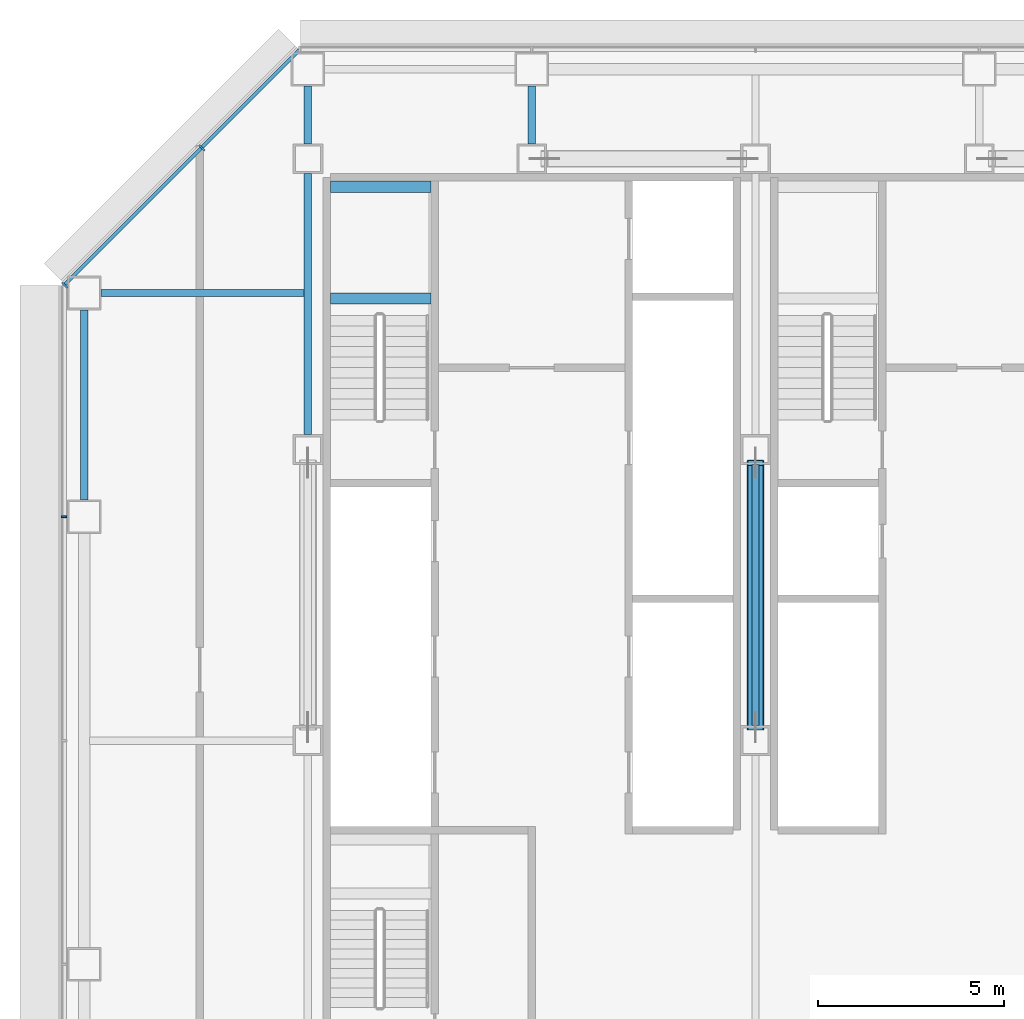
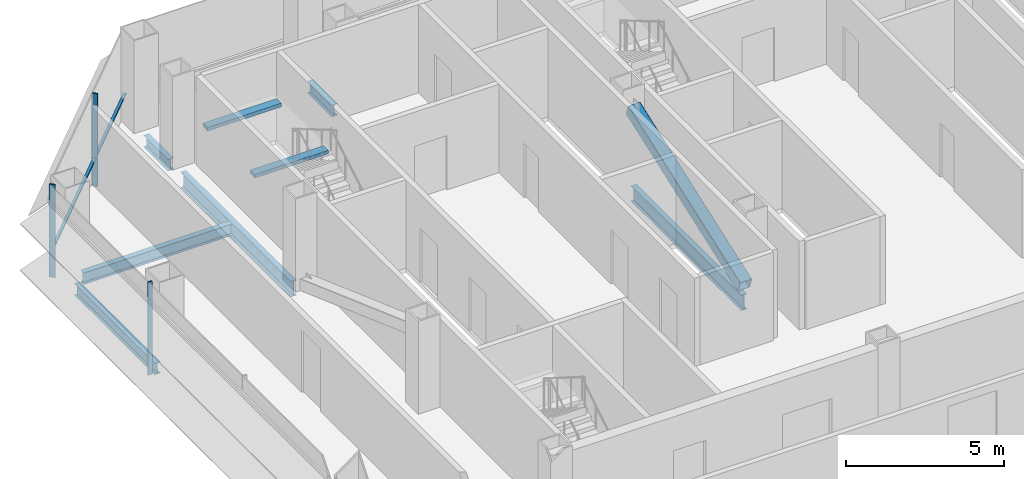
# One storey, part 11 of 27: 8 beams, 5 members, 2 elements without a shape of their own.
"""IFC4 building model written with IfcOpenShell, lengths in metres."""

from ifc_helpers import new_model, si_unit, direction, frame, origin, origin_2d, place, context, subcontext, project, spatial, rectangle, hollow_rectangle, i_section, extrude, material, material_profile, profile_set, type_object, element, aggregate, save


model = new_model("IFC4")

# Units and contexts
model_context = context("Model", 3, precision=1e-05, world=origin(), true_north=direction((0.0, 1.0)))
body_context = subcontext(model_context, "Body", "Model", "MODEL_VIEW")
ifc_project = project(units=[si_unit("LENGTHUNIT", "METRE"), si_unit("AREAUNIT", "SQUARE_METRE"), si_unit("VOLUMEUNIT", "CUBIC_METRE"), si_unit("PLANEANGLEUNIT", "RADIAN"), si_unit("MASSUNIT", "GRAM", prefix="KILO")], contexts=[model_context])

# Site, building, storey
site_placement = place(None, origin())
site = spatial("IfcSite", under=ifc_project, at=site_placement, CompositionType="ELEMENT")
building_placement = place(site_placement, origin())
building = spatial("IfcBuilding", under=site, at=building_placement, Name="Sorahane Residences", CompositionType="ELEMENT")
storey_placement = place(building_placement, frame((0.0, 0.0, 82.199951171875)))
storey = spatial("IfcBuildingStorey", under=building, at=storey_placement, Name="L17", CompositionType="ELEMENT", Elevation=82.199951171875)

# Member
ifc_material_1 = material(Name="Steel Q355B", Category="steel")
ifc_material_profile_1 = material_profile(ifc_material_1, hollow_rectangle(XDim=0.449951171875, YDim=0.449951171875, WallThickness=0.02197265625, InnerFilletRadius=0.010986328125, OuterFilletRadius=0.032958984375, at=origin_2d()), Name="RHS 450x450x22")
ifc_profile_set_1 = profile_set([ifc_material_profile_1], Name="Steel Q355B")
member_type_1 = type_object("IfcMemberType", Name="Core brace RHS 450x450x22 Q355B", PredefinedType="BRACE", material=ifc_profile_set_1)
member_1_placement = place(storey_placement, frame((18.0, 30.354248046875, 0.20849609375), z_axis=(0.0, 0.940886586011, 0.338721762313), x_axis=(-1.0, 0.0, 0.0)))
element("IfcMember", 1, at=member_1_placement, inside=storey, type_object=member_type_1, Name="Core brace L17 x18-1", PredefinedType="BRACE", context=body_context, shape_type="SweptSolid", body=[
    extrude(hollow_rectangle(XDim=0.449951171875, YDim=0.449951171875, WallThickness=0.02197265625, InnerFilletRadius=0.010986328125, OuterFilletRadius=0.032958984375, at=origin_2d()), origin(), (0.0, 0.0, 1.0), 7.537109375),
])

# Curtain wall, member
ifc_material_2 = material(Name="Dark low-e glass and black anodised aluminium", Category="aluminium")
curtain_wall_type_1 = type_object("IfcCurtainWallType", Name="Curtain wall CW-1 Typical unitised wall", PredefinedType="NOTDEFINED", material=ifc_material_2)
curtain_wall_1_placement = place(storey_placement, origin())
curtain_wall_1 = element("IfcCurtainWall", 2, at=curtain_wall_1_placement, inside=storey, type_object=curtain_wall_type_1, Name="CW-1 curtain wall L17 W2", PredefinedType="NOTDEFINED")
ifc_material_3 = material(Name="Black anodised aluminium", Category="aluminium")
ifc_material_profile_2 = material_profile(ifc_material_3, rectangle(XDim=0.159912109375, YDim=0.050048828125, at=origin_2d()), Name="Curtain wall mullion CW-1 black anodised aluminium 50x160")
ifc_profile_set_2 = profile_set([ifc_material_profile_2], Name="Black anodised aluminium")
member_type_2 = type_object("IfcMemberType", Name="Curtain wall mullion CW-1 black anodised aluminium 50x160", PredefinedType="MULLION", material=ifc_profile_set_2)
member_2_placement = place(storey_placement, frame((-0.5400390625, 36.0, -0.179931640625), z_axis=(0.0, 0.0, 1.0), x_axis=(-1.0, 0.0, 0.0)))
member_2 = element("IfcMember", 3, at=member_2_placement, type_object=member_type_2, Name="CW-1 mullion L17 W2.2", PredefinedType="MULLION", context=body_context, shape_type="SweptSolid", body=[
    extrude(rectangle(XDim=0.159912109375, YDim=0.050048828125, at=origin_2d()), origin(), (0.0, 0.0, 1.0), 3.60009765625),
])
aggregate(curtain_wall_1, [member_2])

# Curtain wall, members
ifc_material_4 = material(Name="Dark low-e glass and black anodised aluminium", Category="aluminium")
curtain_wall_type_2 = type_object("IfcCurtainWallType", Name="Curtain wall CW-2 Chamfer unitised wall", PredefinedType="NOTDEFINED", material=ifc_material_4)
curtain_wall_2_placement = place(storey_placement, origin())
curtain_wall_2 = element("IfcCurtainWall", 4, at=curtain_wall_2_placement, inside=storey, type_object=curtain_wall_type_2, Name="CW-2 curtain wall L17 NW1", PredefinedType="NOTDEFINED")
ifc_material_5 = material(Name="Black anodised aluminium", Category="aluminium")
ifc_material_profile_3 = material_profile(ifc_material_5, rectangle(XDim=0.199951171875, YDim=0.050048828125, at=origin_2d()), Name="Curtain wall mullion CW-2 black anodised aluminium 50x200")
ifc_profile_set_3 = profile_set([ifc_material_profile_3], Name="Black anodised aluminium")
member_type_3 = type_object("IfcMemberType", Name="Curtain wall mullion CW-2 black anodised aluminium 50x200", PredefinedType="MULLION", material=ifc_profile_set_3)
member_3_placement = place(storey_placement, frame((3.15673828125, 45.89208984375, -0.179931640625), z_axis=(0.0, 0.0, 1.0), x_axis=(-0.707106781187, 0.707106781187, 0.0)))
member_3 = element("IfcMember", 5, at=member_3_placement, type_object=member_type_3, Name="CW-2 mullion L17 NW1.2", PredefinedType="MULLION", context=body_context, shape_type="SweptSolid", body=[
    extrude(rectangle(XDim=0.199951171875, YDim=0.050048828125, at=origin_2d()), origin(), (0.0, 0.0, 1.0), 3.60009765625),
])
member_4_placement = place(storey_placement, frame((-0.525634765625, 42.209716796875, -0.179931640625), z_axis=(0.0, 0.0, 1.0), x_axis=(-0.707106781187, 0.707106781187, 0.0)))
member_4 = element("IfcMember", 6, at=member_4_placement, type_object=member_type_3, Name="CW-2 mullion L17 NW1.3", PredefinedType="MULLION", context=body_context, shape_type="SweptSolid", body=[
    extrude(rectangle(XDim=0.199951171875, YDim=0.050048828125, at=origin_2d()), origin(), (0.0, 0.0, 1.0), 3.60009765625),
])
ifc_material_6 = material(Name="Black anodised aluminium", Category="aluminium")
ifc_material_profile_4 = material_profile(ifc_material_6, rectangle(XDim=0.10009765625, YDim=0.06005859375, at=origin_2d()), Name="Curtain wall transom CW-2 black anodised aluminium 60x100")
ifc_profile_set_4 = profile_set([ifc_material_profile_4], Name="Black anodised aluminium")
member_type_4 = type_object("IfcMemberType", Name="Curtain wall transom CW-2 black anodised aluminium 60x100", PredefinedType="USERDEFINED", material=ifc_profile_set_4)
member_5_placement = place(storey_placement, frame((5.765625, 48.51513671875, 0.900146484375), z_axis=(-0.707106781187, -0.707106781187, 0.0), x_axis=(0.707106781187, -0.707106781187, 0.0)))
member_5 = element("IfcMember", 7, at=member_5_placement, type_object=member_type_4, Name="CW-2 transom L17 NW1", ObjectType="TRANSOM", PredefinedType="USERDEFINED", context=body_context, shape_type="SweptSolid", body=[
    extrude(rectangle(XDim=0.10009765625, YDim=0.06005859375, at=origin_2d()), origin(), (0.0, 0.0, 1.0), 8.88232421875),
])
aggregate(curtain_wall_2, [member_3, member_4, member_5])

# Beams
ifc_material_7 = material(Name="Concrete C40", Category="concrete")
ifc_material_profile_5 = material_profile(ifc_material_7, rectangle(XDim=0.300048828125, YDim=0.139892578125, at=origin_2d()), Name="300x140")
ifc_profile_set_5 = profile_set([ifc_material_profile_5], Name="Concrete C40")
beam_type_1 = type_object("IfcBeamType", Name="RC landing beam 300 x 140 Concrete C40", PredefinedType="BEAM", material=ifc_profile_set_5)
for number, where, z_axis, x_axis, name in (
    (8, (6.60009765625, 41.85009765625, 1.530029296875), (1.0, 0.0, 0.0), (0.0, 1.0, 0.0), "Landing beam"),
    (9, (6.60009765625, 44.85009765625, 1.530029296875), (1.0, 0.0, 0.0), (0.0, 1.0, 0.0), "Landing beam"),
):
    element("IfcBeam", number, at=place(storey_placement, frame(where, z_axis=z_axis, x_axis=x_axis)), inside=storey, type_object=beam_type_1, Name=name, PredefinedType="BEAM", context=body_context, shape_type="SweptSolid", body=[
        extrude(rectangle(XDim=0.300048828125, YDim=0.139892578125, at=origin_2d()), origin(), (0.0, 0.0, 1.0), 2.699951171875),
    ])
ifc_material_8 = material(Name="Steel Q355B", Category="steel")
ifc_material_profile_6 = material_profile(ifc_material_8, i_section(OverallWidth=0.199951171875, OverallDepth=0.449951171875, WebThickness=0.009033203125, FlangeThickness=0.013916015625, FilletRadius=0.02001953125, at=origin_2d()), Name="HN 450x200x9x14")
ifc_profile_set_6 = profile_set([ifc_material_profile_6], Name="Steel Q355B")
beam_type_2 = type_object("IfcBeamType", Name="Steel floor beam HN 450x200x9x14 Q355B", PredefinedType="BEAM", material=ifc_profile_set_6)
beam_1_placement = place(storey_placement, frame((0.0, 36.449951171875, -0.405029296875), z_axis=(0.0, 1.0, 0.0), x_axis=(-1.0, 0.0, 0.0)))
element("IfcBeam", 10, at=beam_1_placement, inside=storey, type_object=beam_type_2, Name="Beam L17 020", PredefinedType="BEAM", context=body_context, shape_type="SweptSolid", body=[
    extrude(i_section(OverallWidth=0.199951171875, OverallDepth=0.449951171875, WebThickness=0.009033203125, FlangeThickness=0.013916015625, FilletRadius=0.02001953125, at=origin_2d()), origin(), (0.0, 0.0, 1.0), 5.10009765625),
])
for number, where, z_axis, x_axis, name in (
    (11, (6.0, 46.0, -0.405029296875), (0.0, 1.0, 0.0), (-1.0, 0.0, 0.0), "Beam L17 026"),
    (12, (12.0, 46.0, -0.405029296875), (0.0, 1.0, 0.0), (-1.0, 0.0, 0.0), "Beam L17 028"),
):
    element("IfcBeam", number, at=place(storey_placement, frame(where, z_axis=z_axis, x_axis=x_axis)), inside=storey, type_object=beam_type_2, Name=name, PredefinedType="BEAM", context=body_context, shape_type="SweptSolid", body=[
        extrude(i_section(OverallWidth=0.199951171875, OverallDepth=0.449951171875, WebThickness=0.009033203125, FlangeThickness=0.013916015625, FilletRadius=0.02001953125, at=origin_2d()), origin(), (0.0, 0.0, 1.0), 1.550048828125),
    ])
beam_2_placement = place(storey_placement, frame((0.449951171875, 42.0, -0.405029296875), z_axis=(1.0, 0.0, 0.0), x_axis=(0.0, 1.0, 0.0)))
element("IfcBeam", 13, at=beam_2_placement, inside=storey, type_object=beam_type_2, Name="Beam L17 077", PredefinedType="BEAM", context=body_context, shape_type="SweptSolid", body=[
    extrude(i_section(OverallWidth=0.199951171875, OverallDepth=0.449951171875, WebThickness=0.009033203125, FlangeThickness=0.013916015625, FilletRadius=0.02001953125, at=origin_2d()), origin(), (0.0, 0.0, 1.0), 5.449951171875),
])
ifc_material_9 = material(Name="Steel Q355B", Category="steel")
ifc_material_profile_7 = material_profile(ifc_material_9, i_section(OverallWidth=0.199951171875, OverallDepth=0.60009765625, WebThickness=0.010986328125, FlangeThickness=0.01708984375, FilletRadius=0.02392578125, at=origin_2d()), Name="HN 600x200x11x17")
ifc_profile_set_7 = profile_set([ifc_material_profile_7], Name="Steel Q355B")
beam_type_3 = type_object("IfcBeamType", Name="Steel floor beam HN 600x200x11x17 Q355B", PredefinedType="BEAM", material=ifc_profile_set_7)
for number, where, z_axis, x_axis, name in (
    (14, (6.0, 38.199951171875, -0.47998046875), (0.0, 1.0, 0.0), (-1.0, 0.0, 0.0), "Beam L17 025"),
    (15, (18.0, 30.39990234375, -0.47998046875), (0.0, 1.0, 0.0), (-1.0, 0.0, 0.0), "Beam L17 031"),
):
    element("IfcBeam", number, at=place(storey_placement, frame(where, z_axis=z_axis, x_axis=x_axis)), inside=storey, type_object=beam_type_3, Name=name, PredefinedType="BEAM", context=body_context, shape_type="SweptSolid", body=[
        extrude(i_section(OverallWidth=0.199951171875, OverallDepth=0.60009765625, WebThickness=0.010986328125, FlangeThickness=0.01708984375, FilletRadius=0.02392578125, at=origin_2d()), origin(), (0.0, 0.0, 1.0), 7.0),
    ])

save(model, "model.ifc")
